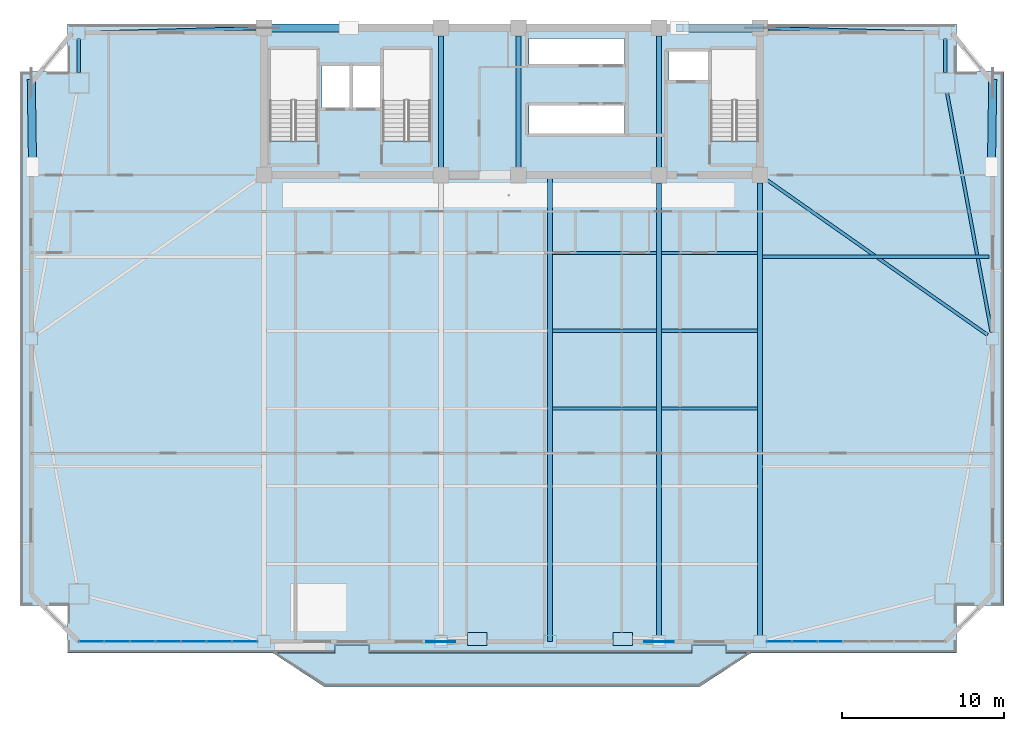
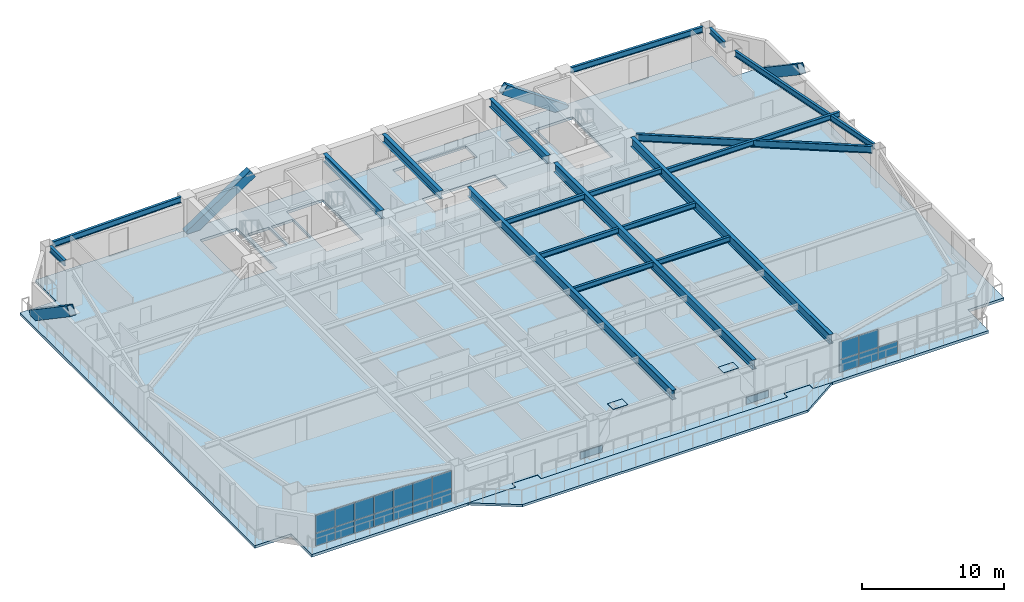
# One storey, part 6 of 15: 23 plates, 19 beams, 4 members, 2 slabs, 2 elements without a shape of their own.
"""IFC4 building model written with IfcOpenShell, lengths in metres."""

from ifc_helpers import new_model, si_unit, direction, frame, origin, origin_2d, place, context, subcontext, project, spatial, polyline, rectangle, hollow_rectangle, i_section, outline, extrude, source, transform, mapped, material, layer, layer_set, material_profile, profile_set, type_object, element, aggregate, save


model = new_model("IFC4")

# Units and contexts
model_context = context("Model", 3, precision=1e-05, world=origin(), true_north=direction((0.0, 1.0)))
body_context = subcontext(model_context, "Body", "Model", "MODEL_VIEW")
ifc_project = project(units=[si_unit("LENGTHUNIT", "METRE"), si_unit("AREAUNIT", "SQUARE_METRE"), si_unit("VOLUMEUNIT", "CUBIC_METRE"), si_unit("PLANEANGLEUNIT", "RADIAN"), si_unit("MASSUNIT", "GRAM", prefix="KILO")], contexts=[model_context])

# Site, building, storey
site_placement = place(None, origin())
site = spatial("IfcSite", under=ifc_project, at=site_placement, CompositionType="ELEMENT")
building_placement = place(site_placement, origin())
building = spatial("IfcBuilding", under=site, at=building_placement, Name="Giltprow Tower", CompositionType="ELEMENT")
storey_placement = place(building_placement, frame((0.0, 0.0, 149.199951171875)))
storey = spatial("IfcBuildingStorey", under=building, at=storey_placement, Name="L36", CompositionType="ELEMENT", Elevation=149.199951171875)

# Beams
ifc_material_1 = material(Name="Structural steel Q355B", Category="steel")
ifc_material_profile_1 = material_profile(ifc_material_1, i_section(OverallWidth=0.199951171875, OverallDepth=0.449951171875, WebThickness=0.009033203125, FlangeThickness=0.013916015625, at=origin_2d()), Name="HN 450x200x9x14")
ifc_profile_set_1 = profile_set([ifc_material_profile_1], Name="Structural steel Q355B")
beam_type_1 = type_object("IfcBeamType", Name="BM-JOIST-HN450", PredefinedType="JOIST", material=ifc_profile_set_1)
shared_shape_1 = source(origin(), body_context, "Body", "SweptSolid", [
    extrude(i_section(OverallWidth=0.199951171875, OverallDepth=0.449951171875, WebThickness=0.009033203125, FlangeThickness=0.013916015625, at=origin_2d()), origin(), (0.0, 0.0, 1.0), 6.4599609375),
])
for number, where, z_axis, x_axis, name in (
    (1, (37.695068359375, 23.010986328125, 3.045166015625), (1.0, 0.0, 0.0), (0.0, 1.0, 0.0), "L36 Composite Floor Joist 3-3"),
    (2, (37.695068359375, 27.823974609375, 3.045166015625), (1.0, 0.0, 0.0), (0.0, 1.0, 0.0), "L36 Composite Floor Joist 4-3"),
    (3, (37.695068359375, 32.636962890625, 3.045166015625), (1.0, 0.0, 0.0), (0.0, 1.0, 0.0), "L36 Composite Floor Joist 5-3"),
):
    element("IfcBeam", number, at=place(storey_placement, frame(where, z_axis=z_axis, x_axis=x_axis)), inside=storey, type_object=beam_type_1, Name=name, PredefinedType="JOIST", context=body_context, shape_type="MappedRepresentation", body=[
        mapped(shared_shape_1, transform((0.0, 0.0, 0.0), x_axis=(1.0, 0.0, 0.0), y_axis=(0.0, 1.0, 0.0), z_axis=(0.0, 0.0, 1.0), scale=1.0)),
    ])
shared_shape_2 = source(origin(), body_context, "Body", "SweptSolid", [
    extrude(i_section(OverallWidth=0.199951171875, OverallDepth=0.449951171875, WebThickness=0.009033203125, FlangeThickness=0.013916015625, at=origin_2d()), origin(), (0.0, 0.0, 1.0), 5.9599609375),
])
for number, where, z_axis, x_axis, name in (
    (4, (44.445068359375, 23.010986328125, 3.045166015625), (1.0, 0.0, 0.0), (0.0, 1.0, 0.0), "L36 Composite Floor Joist 3-4"),
    (5, (44.445068359375, 27.823974609375, 3.045166015625), (1.0, 0.0, 0.0), (0.0, 1.0, 0.0), "L36 Composite Floor Joist 4-4"),
    (6, (44.445068359375, 32.636962890625, 3.045166015625), (1.0, 0.0, 0.0), (0.0, 1.0, 0.0), "L36 Composite Floor Joist 5-4"),
):
    element("IfcBeam", number, at=place(storey_placement, frame(where, z_axis=z_axis, x_axis=x_axis)), inside=storey, type_object=beam_type_1, Name=name, PredefinedType="JOIST", context=body_context, shape_type="MappedRepresentation", body=[
        mapped(shared_shape_2, transform((0.0, 0.0, 0.0), x_axis=(1.0, 0.0, 0.0), y_axis=(0.0, 1.0, 0.0), z_axis=(0.0, 0.0, 1.0), scale=1.0)),
    ])
ifc_material_profile_2 = material_profile(ifc_material_1, i_section(OverallWidth=0.199951171875, OverallDepth=0.5, WebThickness=0.010009765625, FlangeThickness=0.01611328125, at=origin_2d()), Name="HN 500x200x10x16")
ifc_profile_set_2 = profile_set([ifc_material_profile_2], Name="Structural steel Q355B")
beam_type_2 = type_object("IfcBeamType", Name="BM-SPAN-HN500", PredefinedType="SPANDREL", material=ifc_profile_set_2)
shared_shape_3 = source(origin(), body_context, "Body", "SweptSolid", [
    extrude(i_section(OverallWidth=0.199951171875, OverallDepth=0.5, WebThickness=0.010009765625, FlangeThickness=0.01611328125, at=origin_2d()), origin(), (0.0, 0.0, 1.0), 15.075439453125),
])
beam_1_placement = place(storey_placement, frame((64.881103515625, 27.715087890625, 3.02001953125), z_axis=(-0.182625068297, 0.983182630252, 0.0), x_axis=(-0.983182630252, -0.182625068297, 0.0)))
element("IfcBeam", 7, at=beam_1_placement, inside=storey, type_object=beam_type_2, Name="L36 Perimeter Spandrel Beam E_MID-MC_NE", PredefinedType="SPANDREL", context=body_context, shape_type="MappedRepresentation", body=[
    mapped(shared_shape_3, transform((0.0, 0.0, 0.0), x_axis=(1.0, 0.0, 0.0), y_axis=(0.0, 1.0, 0.0), z_axis=(0.0, 0.0, 1.0), scale=1.0)),
])
shared_shape_4 = source(origin(), body_context, "Body", "SweptSolid", [
    extrude(i_section(OverallWidth=0.199951171875, OverallDepth=0.5, WebThickness=0.010009765625, FlangeThickness=0.01611328125, at=origin_2d()), origin(), (0.0, 0.0, 1.0), 2.069091796875),
])
for number, where, z_axis, x_axis, name in (
    (8, (62.011962890625, 43.7958984375, 3.02001953125), (0.0, 1.0, 0.0), (-1.0, 0.0, 0.0), "L36 Perimeter Spandrel Beam MC_NE-N_E"),
    (9, (8.387939453125, 45.864990234375, 3.02001953125), (0.0, -1.0, 0.0), (1.0, 0.0, 0.0), "L36 Perimeter Spandrel Beam N_W-MC_NW"),
):
    element("IfcBeam", number, at=place(storey_placement, frame(where, z_axis=z_axis, x_axis=x_axis)), inside=storey, type_object=beam_type_2, Name=name, PredefinedType="SPANDREL", context=body_context, shape_type="MappedRepresentation", body=[
        mapped(shared_shape_4, transform((0.0, 0.0, 0.0), x_axis=(1.0, 0.0, 0.0), y_axis=(0.0, 1.0, 0.0), z_axis=(0.0, 0.0, 1.0), scale=1.0)),
    ])
ifc_material_profile_3 = material_profile(ifc_material_1, i_section(OverallWidth=0.300048828125, OverallDepth=0.800048828125, WebThickness=0.013916015625, FlangeThickness=0.02587890625, at=origin_2d()), Name="HN 800x300x14x26")
ifc_profile_set_3 = profile_set([ifc_material_profile_3], Name="Structural steel Q355B")
beam_type_3 = type_object("IfcBeamType", Name="BM-GIRD-HN800", PredefinedType="BEAM", material=ifc_profile_set_3)
shared_shape_5 = source(origin(), body_context, "Body", "SweptSolid", [
    extrude(i_section(OverallWidth=0.300048828125, OverallDepth=0.800048828125, WebThickness=0.013916015625, FlangeThickness=0.02587890625, at=origin_2d()), origin(), (0.0, 0.0, 1.0), 28.8779296875),
])
beam_2_placement = place(storey_placement, frame((37.550048828125, 8.572021484375, 2.8701171875), z_axis=(0.0, 1.0, 0.0), x_axis=(-1.0, 0.0, 0.0)))
element("IfcBeam", 10, at=beam_2_placement, inside=storey, type_object=beam_type_3, Name="L36 Central Lease Girder SMID", PredefinedType="BEAM", context=body_context, shape_type="MappedRepresentation", body=[
    mapped(shared_shape_5, transform((0.0, 0.0, 0.0), x_axis=(1.0, 0.0, 0.0), y_axis=(0.0, 1.0, 0.0), z_axis=(0.0, 0.0, 1.0), scale=1.0)),
])
shared_shape_6 = source(origin(), body_context, "Body", "SweptSolid", [
    extrude(i_section(OverallWidth=0.199951171875, OverallDepth=0.449951171875, WebThickness=0.009033203125, FlangeThickness=0.013916015625, at=origin_2d()), origin(), (0.0, 0.0, 1.0), 14.035888671875),
])
beam_3_placement = place(storey_placement, frame((50.695068359375, 32.39306640625, 3.045166015625), z_axis=(1.0, 0.0, 0.0), x_axis=(0.0, 1.0, 0.0)))
element("IfcBeam", 11, at=beam_3_placement, inside=storey, type_object=beam_type_1, Name="L36 East Wing Floor Joist 2", PredefinedType="JOIST", context=body_context, shape_type="MappedRepresentation", body=[
    mapped(shared_shape_6, transform((0.0, 0.0, 0.0), x_axis=(1.0, 0.0, 0.0), y_axis=(0.0, 1.0, 0.0), z_axis=(0.0, 0.0, 1.0), scale=1.0)),
])
ifc_material_profile_4 = material_profile(ifc_material_1, i_section(OverallWidth=0.300048828125, OverallDepth=0.699951171875, WebThickness=0.012939453125, FlangeThickness=0.02392578125, at=origin_2d()), Name="HN 700x300x13x24")
ifc_profile_set_4 = profile_set([ifc_material_profile_4], Name="Structural steel Q355B")
beam_type_4 = type_object("IfcBeamType", Name="BM-GIRD-HN700", PredefinedType="BEAM", material=ifc_profile_set_4)
shared_shape_7 = source(origin(), body_context, "Body", "SweptSolid", [
    extrude(i_section(OverallWidth=0.300048828125, OverallDepth=0.699951171875, WebThickness=0.012939453125, FlangeThickness=0.02392578125, at=origin_2d()), origin(), (0.0, 0.0, 1.0), 8.1298828125),
])
for number, where, z_axis, x_axis, name in (
    (12, (30.800048828125, 37.93505859375, 2.920166015625), (0.0, 1.0, 0.0), (-1.0, 0.0, 0.0), "L36 Core Tie Girder M1"),
    (13, (35.60009765625, 37.93505859375, 2.920166015625), (0.0, 1.0, 0.0), (-1.0, 0.0, 0.0), "L36 Core Tie Girder M2"),
    (14, (44.300048828125, 37.93505859375, 2.920166015625), (0.0, 1.0, 0.0), (-1.0, 0.0, 0.0), "L36 Core Tie Girder M3"),
):
    element("IfcBeam", number, at=place(storey_placement, frame(where, z_axis=z_axis, x_axis=x_axis)), inside=storey, type_object=beam_type_4, Name=name, PredefinedType="BEAM", context=body_context, shape_type="MappedRepresentation", body=[
        mapped(shared_shape_7, transform((0.0, 0.0, 0.0), x_axis=(1.0, 0.0, 0.0), y_axis=(0.0, 1.0, 0.0), z_axis=(0.0, 0.0, 1.0), scale=1.0)),
    ])
shared_shape_8 = source(origin(), body_context, "Body", "SweptSolid", [
    extrude(i_section(OverallWidth=0.199951171875, OverallDepth=0.5, WebThickness=0.010009765625, FlangeThickness=0.01611328125, at=origin_2d()), origin(), (0.0, 0.0, 1.0), 10.595703125),
])
for number, where, z_axis, x_axis, name in (
    (15, (8.77294921875, 46.260009765625, 3.02001953125), (0.999657973569, 0.0261521678, 0.0), (-0.0261521678, 0.999657973569, 0.0), "L36 North Wing Spandrel W"),
    (16, (51.034912109375, 46.537109375, 3.02001953125), (0.999657973569, -0.0261521678, 0.0), (0.0261521678, 0.999657973569, 0.0), "L36 North Wing Spandrel E"),
):
    element("IfcBeam", number, at=place(storey_placement, frame(where, z_axis=z_axis, x_axis=x_axis)), inside=storey, type_object=beam_type_2, Name=name, PredefinedType="SPANDREL", context=body_context, shape_type="MappedRepresentation", body=[
        mapped(shared_shape_8, transform((0.0, 0.0, 0.0), x_axis=(1.0, 0.0, 0.0), y_axis=(0.0, 1.0, 0.0), z_axis=(0.0, 0.0, 1.0), scale=1.0)),
    ])
shared_shape_9 = source(origin(), body_context, "Body", "SweptSolid", [
    extrude(i_section(OverallWidth=0.300048828125, OverallDepth=0.800048828125, WebThickness=0.013916015625, FlangeThickness=0.02587890625, at=origin_2d()), origin(), (0.0, 0.0, 1.0), 28.008056640625),
])
for number, where, z_axis, x_axis, name in (
    (17, (44.300048828125, 8.95703125, 2.8701171875), (0.0, 1.0, 0.0), (-1.0, 0.0, 0.0), "L36 Primary Lease Girder S3"),
    (18, (50.550048828125, 8.95703125, 2.8701171875), (0.0, 1.0, 0.0), (-1.0, 0.0, 0.0), "L36 Primary Lease Girder S4"),
):
    element("IfcBeam", number, at=place(storey_placement, frame(where, z_axis=z_axis, x_axis=x_axis)), inside=storey, type_object=beam_type_3, Name=name, PredefinedType="BEAM", context=body_context, shape_type="MappedRepresentation", body=[
        mapped(shared_shape_9, transform((0.0, 0.0, 0.0), x_axis=(1.0, 0.0, 0.0), y_axis=(0.0, 1.0, 0.0), z_axis=(0.0, 0.0, 1.0), scale=1.0)),
    ])
ifc_material_profile_5 = material_profile(ifc_material_1, i_section(OverallWidth=0.199951171875, OverallDepth=0.60009765625, WebThickness=0.010986328125, FlangeThickness=0.01708984375, at=origin_2d()), Name="HN 600x200x11x17")
ifc_profile_set_5 = profile_set([ifc_material_profile_5], Name="Structural steel Q355B")
beam_type_5 = type_object("IfcBeamType", Name="BM-GIRD-HN600", PredefinedType="BEAM", material=ifc_profile_set_5)
shared_shape_10 = source(origin(), body_context, "Body", "SweptSolid", [
    extrude(i_section(OverallWidth=0.199951171875, OverallDepth=0.60009765625, WebThickness=0.010986328125, FlangeThickness=0.01708984375, at=origin_2d()), origin(), (0.0, 0.0, 1.0), 16.727783203125),
])
beam_4_placement = place(storey_placement, frame((64.635986328125, 27.556884765625, 2.969970703125), z_axis=(-0.818339560657, 0.574735037616, 0.0), x_axis=(-0.574735037616, -0.818339560657, 0.0)))
element("IfcBeam", 19, at=beam_4_placement, inside=storey, type_object=beam_type_5, Name="L36 East Wing Primary Girder", PredefinedType="BEAM", context=body_context, shape_type="MappedRepresentation", body=[
    mapped(shared_shape_10, transform((0.0, 0.0, 0.0), x_axis=(1.0, 0.0, 0.0), y_axis=(0.0, 1.0, 0.0), z_axis=(0.0, 0.0, 1.0), scale=1.0)),
])

# Members
ifc_material_2 = material(Name="Structural steel Q420GJC", Category="steel")
ifc_material_profile_6 = material_profile(ifc_material_2, hollow_rectangle(XDim=0.5, YDim=0.800048828125, WallThickness=0.035888671875, at=origin_2d()), Name="RHS 800x500x36")
ifc_profile_set_6 = profile_set([ifc_material_profile_6], Name="Structural steel Q420GJC")
member_type = type_object("IfcMemberType", Name="MBR-MEGA-RHS800", PredefinedType="BRACE", material=ifc_profile_set_6)
shared_shape_11 = source(origin(), body_context, "Body", "SweptSolid", [
    extrude(hollow_rectangle(XDim=0.5, YDim=0.800048828125, WallThickness=0.035888671875, at=origin_2d()), origin(), (0.0, 0.0, 1.0), 6.309814453125),
])
member_1_placement = place(storey_placement, frame((19.85009765625, 46.550048828125, -0.139892578125), z_axis=(0.832050294338, 0.0, 0.554700196225), x_axis=(0.0, 1.0, 0.0)))
element("IfcMember", 20, at=member_1_placement, inside=storey, type_object=member_type, Name="L36 Chevron Mega-Brace N-L", PredefinedType="BRACE", context=body_context, shape_type="MappedRepresentation", body=[
    mapped(shared_shape_11, transform((0.0, 0.0, 0.0), x_axis=(1.0, 0.0, 0.0), y_axis=(0.0, 1.0, 0.0), z_axis=(0.0, 0.0, 1.0), scale=1.0)),
])
shared_shape_12 = source(origin(), body_context, "Body", "SweptSolid", [
    extrude(hollow_rectangle(XDim=0.5, YDim=0.800048828125, WallThickness=0.035888671875, at=origin_2d()), origin(), (0.0, 0.0, 1.0), 6.089599609375),
])
member_2_placement = place(storey_placement, frame((50.550048828125, 46.550048828125, -0.139892578125), z_axis=(-0.818321147337, 0.0, 0.574761254628), x_axis=(0.0, -1.0, 0.0)))
element("IfcMember", 21, at=member_2_placement, inside=storey, type_object=member_type, Name="L36 Chevron Mega-Brace N-R", PredefinedType="BRACE", context=body_context, shape_type="MappedRepresentation", body=[
    mapped(shared_shape_12, transform((0.0, 0.0, 0.0), x_axis=(1.0, 0.0, 0.0), y_axis=(0.0, 1.0, 0.0), z_axis=(0.0, 0.0, 1.0), scale=1.0)),
])
shared_shape_13 = source(origin(), body_context, "Body", "SweptSolid", [
    extrude(hollow_rectangle(XDim=0.5, YDim=0.800048828125, WallThickness=0.035888671875, at=origin_2d()), origin(), (0.0, 0.0, 1.0), 6.257568359375),
])
for number, where, z_axis, x_axis, name in (
    (22, (5.448974609375, 43.160888671875, 0.0), (0.012484642521, -0.828863219849, 0.559311984926), (0.999886581839, 0.01506065927, 0.0), "L36 Chevron Mega-Brace W-R"),
    (23, (64.950927734375, 43.160888671875, 0.0), (-0.012445634065, -0.828863622943, 0.559312256932), (0.999887289476, -0.015013605335, 0.0), "L36 Chevron Mega-Brace E-R"),
):
    element("IfcMember", number, at=place(storey_placement, frame(where, z_axis=z_axis, x_axis=x_axis)), inside=storey, type_object=member_type, Name=name, PredefinedType="BRACE", context=body_context, shape_type="MappedRepresentation", body=[
        mapped(shared_shape_13, transform((0.0, 0.0, 0.0), x_axis=(1.0, 0.0, 0.0), y_axis=(0.0, 1.0, 0.0), z_axis=(0.0, 0.0, 1.0), scale=1.0)),
    ])

# Slabs
ifc_material_3 = material(Name="Concrete C40", Category="concrete")
ifc_layer_1 = layer(ifc_material_3, 0.199951171875, Name="Concrete C40")
ifc_layer_set_1 = layer_set([ifc_layer_1], Name="Concrete C40")
slab_type_1 = type_object("IfcSlabType", Name="SLB-BALC-BRONZE-200", PredefinedType="FLOOR", material=ifc_layer_set_1)
slab_1_placement = place(storey_placement, frame((0.0, 0.0, -0.199951171875)))
element("IfcSlab", 24, at=slab_1_placement, inside=storey, type_object=slab_type_1, Name="L36 Bronze Prow Waterfront Balcony Slab", PredefinedType="FLOOR", context=body_context, shape_type="SweptSolid", body=[
    extrude(outline(polyline([(50.0, 7.8720703125), (46.800048828125, 5.77197265625), (23.60009765625, 5.77197265625), (20.39990234375, 7.8720703125), (24.280029296875, 7.8720703125), (24.280029296875, 8.3720703125), (26.320068359375, 8.3720703125), (26.320068359375, 7.8720703125), (46.3798828125, 7.8720703125), (46.3798828125, 8.3720703125), (48.419921875, 8.3720703125), (48.419921875, 7.8720703125), (50.0, 7.8720703125)])), origin(), (0.0, 0.0, 1.0), 0.199951171875),
])
ifc_layer_2 = layer(ifc_material_3, 0.22998046875, Name="Concrete C40")
ifc_layer_set_2 = layer_set([ifc_layer_2], Name="Concrete C40")
slab_type_2 = type_object("IfcSlabType", Name="SLB-HTL-230", PredefinedType="FLOOR", material=ifc_layer_set_2)
slab_2_placement = place(storey_placement, frame((0.0, 0.0, -0.22998046875)))
element("IfcSlab", 25, at=slab_2_placement, inside=storey, type_object=slab_type_2, Name="L36 Structural Composite Floor Slab", PredefinedType="FLOOR", context=body_context, shape_type="SweptSolid", body=[
    extrude(outline(polyline([(7.68798828125, 7.8720703125), (7.68798828125, 10.81103515625), (4.7490234375, 10.81103515625), (4.7490234375, 43.861083984375), (7.68798828125, 43.861083984375), (7.68798828125, 46.800048828125), (62.7119140625, 46.800048828125), (62.7119140625, 43.861083984375), (65.65087890625, 43.861083984375), (65.65087890625, 10.81103515625), (62.7119140625, 10.81103515625), (62.7119140625, 7.8720703125), (48.449951171875, 7.8720703125), (48.449951171875, 8.39208984375), (46.35009765625, 8.39208984375), (46.35009765625, 7.8720703125), (26.35009765625, 7.8720703125), (26.35009765625, 8.39208984375), (24.25, 8.39208984375), (24.25, 7.8720703125), (7.68798828125, 7.8720703125)]), holes=[polyline([(42.169921875, 41.800048828125), (36.239990234375, 41.800048828125), (36.239990234375, 40.0), (42.169921875, 40.0), (42.169921875, 41.800048828125)]), polyline([(23.159912109375, 39.570068359375), (23.159912109375, 45.25), (20.199951171875, 45.25), (20.199951171875, 39.570068359375), (23.159912109375, 39.570068359375)]), polyline([(30.159912109375, 39.570068359375), (30.159912109375, 45.25), (27.199951171875, 45.25), (27.199951171875, 39.570068359375), (30.159912109375, 39.570068359375)]), polyline([(50.4599609375, 45.25), (47.5, 45.25), (47.5, 39.570068359375), (50.4599609375, 39.570068359375), (50.4599609375, 45.25)]), polyline([(25.169921875, 44.199951171875), (23.449951171875, 44.199951171875), (23.449951171875, 41.60009765625), (25.169921875, 41.60009765625), (25.169921875, 44.199951171875)]), polyline([(27.10009765625, 44.199951171875), (25.35009765625, 44.199951171875), (25.35009765625, 41.60009765625), (27.10009765625, 41.60009765625), (27.10009765625, 44.199951171875)]), polyline([(47.3798828125, 43.300048828125), (47.3798828125, 45.10009765625), (44.919921875, 45.10009765625), (44.919921875, 43.300048828125), (47.3798828125, 43.300048828125)]), polyline([(42.169921875, 44.300048828125), (42.169921875, 45.919921875), (36.239990234375, 45.919921875), (36.239990234375, 44.300048828125), (42.169921875, 44.300048828125)])]), origin(), (0.0, 0.0, 1.0), 0.22998046875),
])

# Plates
plate_type_1 = type_object("IfcPlateType", Name="PLT-NODE-MBN1", PredefinedType="USERDEFINED", material=ifc_material_2)
shared_shape_14 = source(origin(), body_context, "Body", "SweptSolid", [
    extrude(rectangle(XDim=1.800048828125, YDim=0.050048828125, at=origin_2d()), origin(), (0.0, 0.0, 1.0), 1.14990234375),
])
for number, where, z_axis, x_axis, name in (
    (26, (30.800048828125, 8.572021484375, -0.574951171875), (0.0, 0.0, 1.0), (1.0, 0.0, 0.0), "Mega-Brace Node L36-S-LA"),
    (27, (44.300048828125, 8.572021484375, -0.574951171875), (0.0, 0.0, 1.0), (1.0, 0.0, 0.0), "Mega-Brace Node L36-S-RA"),
):
    element("IfcPlate", number, at=place(storey_placement, frame(where, z_axis=z_axis, x_axis=x_axis)), inside=storey, type_object=plate_type_1, Name=name, ObjectType="GUSSET", PredefinedType="USERDEFINED", context=body_context, shape_type="MappedRepresentation", body=[
        mapped(shared_shape_14, transform((0.0, 0.0, 0.0), x_axis=(1.0, 0.0, 0.0), y_axis=(0.0, 1.0, 0.0), z_axis=(0.0, 0.0, 1.0), scale=1.0)),
    ])
plate_type_2 = type_object("IfcPlateType", Name="PLT-CAP-SEAL", PredefinedType="USERDEFINED", material=ifc_material_2)
shared_shape_15 = source(origin(), body_context, "Body", "SweptSolid", [
    extrude(rectangle(XDim=1.199951171875, YDim=0.800048828125, at=origin_2d()), origin(), (0.0, 0.0, 1.0), 0.034912109375),
])
for number, where, z_axis, x_axis, name in (
    (28, (33.050048828125, 8.7470703125, 3.482421875), (0.0, 0.0, 1.0), (1.0, 0.0, 0.0), "Mega-Brace Node L36-S-LB"),
    (29, (42.050048828125, 8.7470703125, 3.482421875), (0.0, 0.0, 1.0), (1.0, 0.0, 0.0), "Mega-Brace Node L36-S-RB"),
):
    element("IfcPlate", number, at=place(storey_placement, frame(where, z_axis=z_axis, x_axis=x_axis)), inside=storey, type_object=plate_type_2, Name=name, ObjectType="SPLICE", PredefinedType="USERDEFINED", context=body_context, shape_type="MappedRepresentation", body=[
        mapped(shared_shape_15, transform((0.0, 0.0, 0.0), x_axis=(1.0, 0.0, 0.0), y_axis=(0.0, 1.0, 0.0), z_axis=(0.0, 0.0, 1.0), scale=1.0)),
    ])

# Curtain wall, plates
ifc_material_4 = material(Name="Anodized bronze", Category="metal")
ifc_layer_3 = layer(ifc_material_4, 0.179931640625, Name="Anodized bronze")
ifc_layer_set_3 = layer_set([ifc_layer_3], Name="Anodized bronze")
curtain_wall_type = type_object("IfcCurtainWallType", Name="CW-HTL-BRONZE", PredefinedType="NOTDEFINED", material=ifc_layer_set_3)
curtain_wall_1_placement = place(storey_placement, origin())
curtain_wall_1 = element("IfcCurtainWall", 30, at=curtain_wall_1_placement, inside=storey, type_object=curtain_wall_type, Name="L36 South Recessed Curtain Wall 1", PredefinedType="NOTDEFINED")
ifc_material_5 = material(Name="Insulated glass", Category="glass")
plate_type_3 = type_object("IfcPlateType", Name="CW-PANEL-IGU-28", PredefinedType="CURTAIN_PANEL", material=ifc_material_5)
shared_shape_16 = source(origin(), body_context, "Body", "SweptSolid", [
    extrude(rectangle(XDim=1.550048828125, YDim=0.028076171875, at=origin_2d()), origin(), (0.0, 0.0, 1.0), 1.0869140625),
])
plate_1_placement = place(storey_placement, frame((9.177978515625, 8.572021484375, 0.0546875), z_axis=(0.0, 0.0, 1.0), x_axis=(1.0, 0.0, 0.0)))
plate_1 = element("IfcPlate", 31, at=plate_1_placement, type_object=plate_type_3, Name="L36 South Recessed Curtain Wall 1 Glazing Panel 1-1", PredefinedType="CURTAIN_PANEL", context=body_context, shape_type="MappedRepresentation", body=[
    mapped(shared_shape_16, transform((0.0, 0.0, 0.0), x_axis=(1.0, 0.0, 0.0), y_axis=(0.0, 1.0, 0.0), z_axis=(0.0, 0.0, 1.0), scale=1.0)),
])
plate_2_placement = place(storey_placement, frame((10.758056640625, 8.572021484375, 0.0546875), z_axis=(0.0, 0.0, 1.0), x_axis=(1.0, 0.0, 0.0)))
plate_2 = element("IfcPlate", 32, at=plate_2_placement, type_object=plate_type_3, Name="L36 South Recessed Curtain Wall 1 Glazing Panel 2-1", PredefinedType="CURTAIN_PANEL", context=body_context, shape_type="MappedRepresentation", body=[
    mapped(shared_shape_16, transform((0.0, 0.0, 0.0), x_axis=(1.0, 0.0, 0.0), y_axis=(0.0, 1.0, 0.0), z_axis=(0.0, 0.0, 1.0), scale=1.0)),
])
plate_3_placement = place(storey_placement, frame((12.339111328125, 8.572021484375, 0.0546875), z_axis=(0.0, 0.0, 1.0), x_axis=(1.0, 0.0, 0.0)))
plate_3 = element("IfcPlate", 33, at=plate_3_placement, type_object=plate_type_3, Name="L36 South Recessed Curtain Wall 1 Glazing Panel 3-1", PredefinedType="CURTAIN_PANEL", context=body_context, shape_type="MappedRepresentation", body=[
    mapped(shared_shape_16, transform((0.0, 0.0, 0.0), x_axis=(1.0, 0.0, 0.0), y_axis=(0.0, 1.0, 0.0), z_axis=(0.0, 0.0, 1.0), scale=1.0)),
])
plate_4_placement = place(storey_placement, frame((13.9189453125, 8.572021484375, 0.0546875), z_axis=(0.0, 0.0, 1.0), x_axis=(1.0, 0.0, 0.0)))
plate_4 = element("IfcPlate", 34, at=plate_4_placement, type_object=plate_type_3, Name="L36 South Recessed Curtain Wall 1 Glazing Panel 4-1", PredefinedType="CURTAIN_PANEL", context=body_context, shape_type="MappedRepresentation", body=[
    mapped(shared_shape_16, transform((0.0, 0.0, 0.0), x_axis=(1.0, 0.0, 0.0), y_axis=(0.0, 1.0, 0.0), z_axis=(0.0, 0.0, 1.0), scale=1.0)),
])
plate_5_placement = place(storey_placement, frame((15.4990234375, 8.572021484375, 0.0546875), z_axis=(0.0, 0.0, 1.0), x_axis=(1.0, 0.0, 0.0)))
plate_5 = element("IfcPlate", 35, at=plate_5_placement, type_object=plate_type_3, Name="L36 South Recessed Curtain Wall 1 Glazing Panel 5-1", PredefinedType="CURTAIN_PANEL", context=body_context, shape_type="MappedRepresentation", body=[
    mapped(shared_shape_16, transform((0.0, 0.0, 0.0), x_axis=(1.0, 0.0, 0.0), y_axis=(0.0, 1.0, 0.0), z_axis=(0.0, 0.0, 1.0), scale=1.0)),
])
plate_6_placement = place(storey_placement, frame((17.080078125, 8.572021484375, 0.0546875), z_axis=(0.0, 0.0, 1.0), x_axis=(1.0, 0.0, 0.0)))
plate_6 = element("IfcPlate", 36, at=plate_6_placement, type_object=plate_type_3, Name="L36 South Recessed Curtain Wall 1 Glazing Panel 6-1", PredefinedType="CURTAIN_PANEL", context=body_context, shape_type="MappedRepresentation", body=[
    mapped(shared_shape_16, transform((0.0, 0.0, 0.0), x_axis=(1.0, 0.0, 0.0), y_axis=(0.0, 1.0, 0.0), z_axis=(0.0, 0.0, 1.0), scale=1.0)),
])
plate_7_placement = place(storey_placement, frame((18.659912109375, 8.572021484375, 0.0546875), z_axis=(0.0, 0.0, 1.0), x_axis=(1.0, 0.0, 0.0)))
plate_7 = element("IfcPlate", 37, at=plate_7_placement, type_object=plate_type_3, Name="L36 South Recessed Curtain Wall 1 Glazing Panel 7-1", PredefinedType="CURTAIN_PANEL", context=body_context, shape_type="MappedRepresentation", body=[
    mapped(shared_shape_16, transform((0.0, 0.0, 0.0), x_axis=(1.0, 0.0, 0.0), y_axis=(0.0, 1.0, 0.0), z_axis=(0.0, 0.0, 1.0), scale=1.0)),
])

curtain_wall_2_placement = place(storey_placement, origin())
curtain_wall_2 = element("IfcCurtainWall", 38, at=curtain_wall_2_placement, inside=storey, type_object=curtain_wall_type, Name="L36 South Recessed Curtain Wall 6", PredefinedType="NOTDEFINED")
plate_8_placement = place(storey_placement, frame((51.739990234375, 8.572021484375, 0.0546875), z_axis=(0.0, 0.0, 1.0), x_axis=(1.0, 0.0, 0.0)))
plate_8 = element("IfcPlate", 39, at=plate_8_placement, type_object=plate_type_3, Name="L36 South Recessed Curtain Wall 6 Glazing Panel 1-1", PredefinedType="CURTAIN_PANEL", context=body_context, shape_type="MappedRepresentation", body=[
    mapped(shared_shape_16, transform((0.0, 0.0, 0.0), x_axis=(1.0, 0.0, 0.0), y_axis=(0.0, 1.0, 0.0), z_axis=(0.0, 0.0, 1.0), scale=1.0)),
])
plate_9_placement = place(storey_placement, frame((53.320068359375, 8.572021484375, 0.0546875), z_axis=(0.0, 0.0, 1.0), x_axis=(1.0, 0.0, 0.0)))
plate_9 = element("IfcPlate", 40, at=plate_9_placement, type_object=plate_type_3, Name="L36 South Recessed Curtain Wall 6 Glazing Panel 2-1", PredefinedType="CURTAIN_PANEL", context=body_context, shape_type="MappedRepresentation", body=[
    mapped(shared_shape_16, transform((0.0, 0.0, 0.0), x_axis=(1.0, 0.0, 0.0), y_axis=(0.0, 1.0, 0.0), z_axis=(0.0, 0.0, 1.0), scale=1.0)),
])
plate_10_placement = place(storey_placement, frame((54.90087890625, 8.572021484375, 0.0546875), z_axis=(0.0, 0.0, 1.0), x_axis=(1.0, 0.0, 0.0)))
plate_10 = element("IfcPlate", 41, at=plate_10_placement, type_object=plate_type_3, Name="L36 South Recessed Curtain Wall 6 Glazing Panel 3-1", PredefinedType="CURTAIN_PANEL", context=body_context, shape_type="MappedRepresentation", body=[
    mapped(shared_shape_16, transform((0.0, 0.0, 0.0), x_axis=(1.0, 0.0, 0.0), y_axis=(0.0, 1.0, 0.0), z_axis=(0.0, 0.0, 1.0), scale=1.0)),
])

# Plate
shared_shape_17 = source(origin(), body_context, "Body", "SweptSolid", [
    extrude(rectangle(XDim=1.550048828125, YDim=0.028076171875, at=origin_2d()), origin(), (0.0, 0.0, 1.0), 1.527099609375),
])
plate_11_placement = place(storey_placement, frame((9.177978515625, 8.572021484375, 1.16845703125), z_axis=(0.0, 0.0, 1.0), x_axis=(1.0, 0.0, 0.0)))
plate_11 = element("IfcPlate", 42, at=plate_11_placement, type_object=plate_type_3, Name="L36 South Recessed Curtain Wall 1 Glazing Panel 1-2", PredefinedType="CURTAIN_PANEL", context=body_context, shape_type="MappedRepresentation", body=[
    mapped(shared_shape_17, transform((0.0, 0.0, 0.0), x_axis=(1.0, 0.0, 0.0), y_axis=(0.0, 1.0, 0.0), z_axis=(0.0, 0.0, 1.0), scale=1.0)),
])

plate_12_placement = place(storey_placement, frame((10.758056640625, 8.572021484375, 1.16845703125), z_axis=(0.0, 0.0, 1.0), x_axis=(1.0, 0.0, 0.0)))
plate_12 = element("IfcPlate", 43, at=plate_12_placement, type_object=plate_type_3, Name="L36 South Recessed Curtain Wall 1 Glazing Panel 2-2", PredefinedType="CURTAIN_PANEL", context=body_context, shape_type="MappedRepresentation", body=[
    mapped(shared_shape_17, transform((0.0, 0.0, 0.0), x_axis=(1.0, 0.0, 0.0), y_axis=(0.0, 1.0, 0.0), z_axis=(0.0, 0.0, 1.0), scale=1.0)),
])

plate_13_placement = place(storey_placement, frame((12.339111328125, 8.572021484375, 1.16845703125), z_axis=(0.0, 0.0, 1.0), x_axis=(1.0, 0.0, 0.0)))
plate_13 = element("IfcPlate", 44, at=plate_13_placement, type_object=plate_type_3, Name="L36 South Recessed Curtain Wall 1 Glazing Panel 3-2", PredefinedType="CURTAIN_PANEL", context=body_context, shape_type="MappedRepresentation", body=[
    mapped(shared_shape_17, transform((0.0, 0.0, 0.0), x_axis=(1.0, 0.0, 0.0), y_axis=(0.0, 1.0, 0.0), z_axis=(0.0, 0.0, 1.0), scale=1.0)),
])

plate_14_placement = place(storey_placement, frame((13.9189453125, 8.572021484375, 1.16845703125), z_axis=(0.0, 0.0, 1.0), x_axis=(1.0, 0.0, 0.0)))
plate_14 = element("IfcPlate", 45, at=plate_14_placement, type_object=plate_type_3, Name="L36 South Recessed Curtain Wall 1 Glazing Panel 4-2", PredefinedType="CURTAIN_PANEL", context=body_context, shape_type="MappedRepresentation", body=[
    mapped(shared_shape_17, transform((0.0, 0.0, 0.0), x_axis=(1.0, 0.0, 0.0), y_axis=(0.0, 1.0, 0.0), z_axis=(0.0, 0.0, 1.0), scale=1.0)),
])

plate_15_placement = place(storey_placement, frame((15.4990234375, 8.572021484375, 1.16845703125), z_axis=(0.0, 0.0, 1.0), x_axis=(1.0, 0.0, 0.0)))
plate_15 = element("IfcPlate", 46, at=plate_15_placement, type_object=plate_type_3, Name="L36 South Recessed Curtain Wall 1 Glazing Panel 5-2", PredefinedType="CURTAIN_PANEL", context=body_context, shape_type="MappedRepresentation", body=[
    mapped(shared_shape_17, transform((0.0, 0.0, 0.0), x_axis=(1.0, 0.0, 0.0), y_axis=(0.0, 1.0, 0.0), z_axis=(0.0, 0.0, 1.0), scale=1.0)),
])

plate_16_placement = place(storey_placement, frame((17.080078125, 8.572021484375, 1.16845703125), z_axis=(0.0, 0.0, 1.0), x_axis=(1.0, 0.0, 0.0)))
plate_16 = element("IfcPlate", 47, at=plate_16_placement, type_object=plate_type_3, Name="L36 South Recessed Curtain Wall 1 Glazing Panel 6-2", PredefinedType="CURTAIN_PANEL", context=body_context, shape_type="MappedRepresentation", body=[
    mapped(shared_shape_17, transform((0.0, 0.0, 0.0), x_axis=(1.0, 0.0, 0.0), y_axis=(0.0, 1.0, 0.0), z_axis=(0.0, 0.0, 1.0), scale=1.0)),
])

plate_17_placement = place(storey_placement, frame((18.659912109375, 8.572021484375, 1.16845703125), z_axis=(0.0, 0.0, 1.0), x_axis=(1.0, 0.0, 0.0)))
plate_17 = element("IfcPlate", 48, at=plate_17_placement, type_object=plate_type_3, Name="L36 South Recessed Curtain Wall 1 Glazing Panel 7-2", PredefinedType="CURTAIN_PANEL", context=body_context, shape_type="MappedRepresentation", body=[
    mapped(shared_shape_17, transform((0.0, 0.0, 0.0), x_axis=(1.0, 0.0, 0.0), y_axis=(0.0, 1.0, 0.0), z_axis=(0.0, 0.0, 1.0), scale=1.0)),
])

aggregate(curtain_wall_1, [plate_1, plate_11, plate_2, plate_12, plate_3, plate_13, plate_4, plate_14, plate_5, plate_15, plate_6, plate_16, plate_7, plate_17])

plate_18_placement = place(storey_placement, frame((51.739990234375, 8.572021484375, 1.16845703125), z_axis=(0.0, 0.0, 1.0), x_axis=(1.0, 0.0, 0.0)))
plate_18 = element("IfcPlate", 49, at=plate_18_placement, type_object=plate_type_3, Name="L36 South Recessed Curtain Wall 6 Glazing Panel 1-2", PredefinedType="CURTAIN_PANEL", context=body_context, shape_type="MappedRepresentation", body=[
    mapped(shared_shape_17, transform((0.0, 0.0, 0.0), x_axis=(1.0, 0.0, 0.0), y_axis=(0.0, 1.0, 0.0), z_axis=(0.0, 0.0, 1.0), scale=1.0)),
])

plate_19_placement = place(storey_placement, frame((53.320068359375, 8.572021484375, 1.16845703125), z_axis=(0.0, 0.0, 1.0), x_axis=(1.0, 0.0, 0.0)))
plate_19 = element("IfcPlate", 50, at=plate_19_placement, type_object=plate_type_3, Name="L36 South Recessed Curtain Wall 6 Glazing Panel 2-2", PredefinedType="CURTAIN_PANEL", context=body_context, shape_type="MappedRepresentation", body=[
    mapped(shared_shape_17, transform((0.0, 0.0, 0.0), x_axis=(1.0, 0.0, 0.0), y_axis=(0.0, 1.0, 0.0), z_axis=(0.0, 0.0, 1.0), scale=1.0)),
])

aggregate(curtain_wall_2, [plate_8, plate_18, plate_9, plate_19, plate_10])

save(model, "model.ifc")
